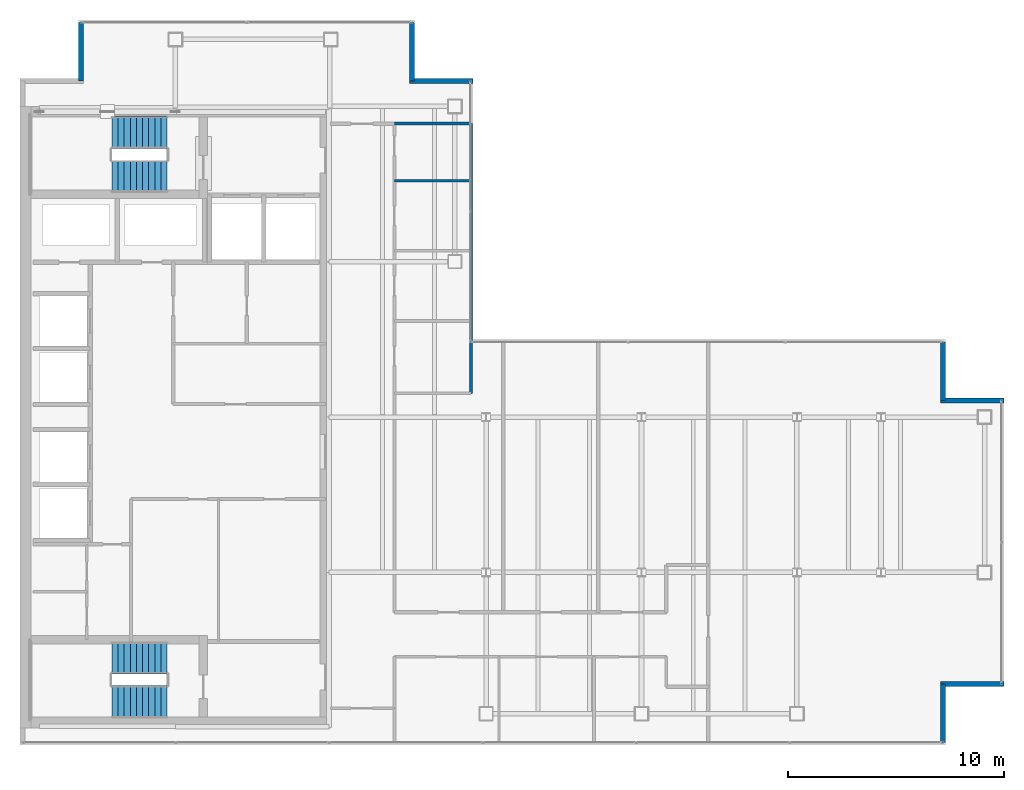
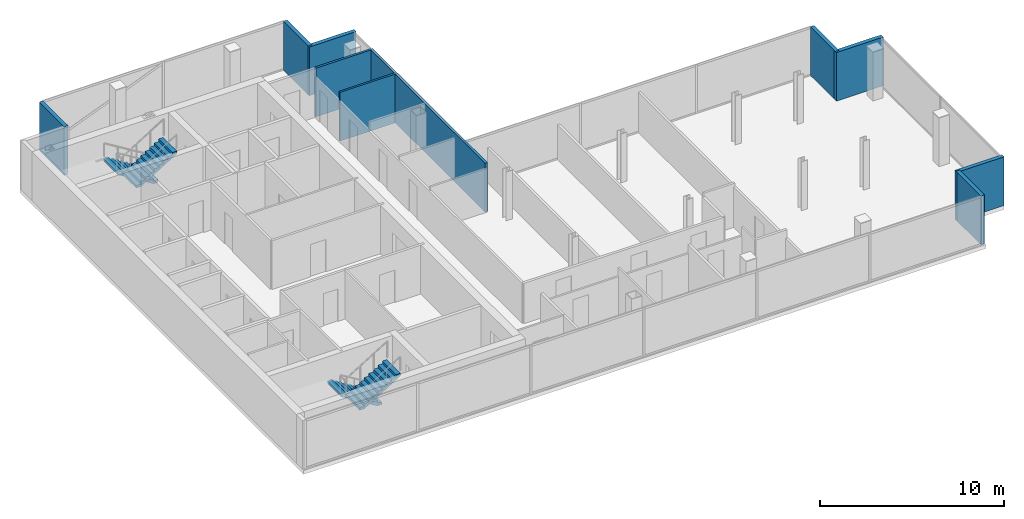
# One storey, part 23 of 24: 10 walls, 4 stair flights, 2 elements without a shape of their own.
"""IFC4 building model written with IfcOpenShell, lengths in metres."""

from ifc_helpers import new_model, si_unit, direction, frame, frame_2d, origin, place, context, subcontext, project, spatial, polyline, rectangle, outline, extrude, material, layer, layer_set, type_object, element, aggregate, save


model = new_model("IFC4")

# Units and contexts
model_context = context("Model", 3, precision=1e-05, world=origin(), true_north=direction((0.0, 1.0)))
body_context = subcontext(model_context, "Body", "Model", "MODEL_VIEW")
ifc_project = project(units=[si_unit("LENGTHUNIT", "METRE"), si_unit("AREAUNIT", "SQUARE_METRE"), si_unit("VOLUMEUNIT", "CUBIC_METRE"), si_unit("PLANEANGLEUNIT", "RADIAN"), si_unit("MASSUNIT", "GRAM", prefix="KILO")], contexts=[model_context])

# Site, building, storey
site_placement = place(None, origin())
site = spatial("IfcSite", under=ifc_project, at=site_placement, CompositionType="ELEMENT")
building_placement = place(site_placement, origin())
building = spatial("IfcBuilding", under=site, at=building_placement, Name="Cobrela Telecom Tower", CompositionType="ELEMENT")
storey_placement = place(building_placement, frame((0.0, 0.0, 290.14990234375)))
storey = spatial("IfcBuildingStorey", under=building, at=storey_placement, Name="L76", CompositionType="ELEMENT", Elevation=290.14990234375)

# Walls
ifc_material_1 = material(Name="Concrete C40/50", Category="concrete")
ifc_layer_1 = layer(ifc_material_1, 0.239990234375)
ifc_layer_set_1 = layer_set([ifc_layer_1], Name="Concrete C40/50")
wall_type_1 = type_object("IfcWallType", Name="WALL-EXT-300", PredefinedType="STANDARD", material=ifc_layer_set_1)
for number, where, z_axis, x_axis, name in (
    (1, (2.830078125, 37.169921875, 0.0), (0.0, 0.0, 1.0), (0.0, 1.0, 0.0), "L76 Insulated Facade Wall 04"),
    (2, (18.169921875, 39.8798828125, 0.0), (0.0, 0.0, 1.0), (0.0, -1.0, 0.0), "L76 Insulated Facade Wall 06"),
):
    element("IfcWall", number, at=place(storey_placement, frame(where, z_axis=z_axis, x_axis=x_axis)), inside=storey, type_object=wall_type_1, Name=name, PredefinedType="STANDARD", context=body_context, shape_type="SweptSolid", body=[
        extrude(rectangle(XDim=2.7099609375, YDim=0.239990234375, at=frame_2d((1.35498046875, 0.0))), origin(), (0.0, 0.0, 1.0), 3.239990234375),
    ])
wall_1_placement = place(storey_placement, frame((18.050048828125, 37.169921875, 0.0), z_axis=(0.0, 0.0, 1.0), x_axis=(1.0, 0.0, 0.0)))
element("IfcWall", 3, at=wall_1_placement, inside=storey, type_object=wall_type_1, Name="L76 Insulated Facade Wall 07", PredefinedType="STANDARD", context=body_context, shape_type="SweptSolid", body=[
    extrude(rectangle(XDim=2.949951171875, YDim=0.239990234375, at=frame_2d((1.47509765625, 0.0))), origin(), (0.0, 0.0, 1.0), 3.239990234375),
])
wall_2_placement = place(storey_placement, frame((42.77001953125, 25.080078125, 0.0), z_axis=(0.0, 0.0, 1.0), x_axis=(0.0, -1.0, 0.0)))
element("IfcWall", 4, at=wall_2_placement, inside=storey, type_object=wall_type_1, Name="L76 Insulated Facade Wall 10", PredefinedType="STANDARD", context=body_context, shape_type="SweptSolid", body=[
    extrude(rectangle(XDim=2.7099609375, YDim=0.239990234375, at=frame_2d((1.35498046875, 0.0))), origin(), (0.0, 0.0, 1.0), 3.239990234375),
])
for number, where, z_axis, x_axis, name in (
    (5, (42.64990234375, 22.3701171875, 0.0), (0.0, 0.0, 1.0), (1.0, 0.0, 0.0), "L76 Insulated Facade Wall 11"),
    (6, (45.60009765625, 9.22998046875, 0.0), (0.0, 0.0, 1.0), (-1.0, 0.0, 0.0), "L76 Insulated Facade Wall 13"),
):
    element("IfcWall", number, at=place(storey_placement, frame(where, z_axis=z_axis, x_axis=x_axis)), inside=storey, type_object=wall_type_1, Name=name, PredefinedType="STANDARD", context=body_context, shape_type="SweptSolid", body=[
        extrude(rectangle(XDim=2.9501953125, YDim=0.239990234375, at=frame_2d((1.47509765625, 0.0))), origin(), (0.0, 0.0, 1.0), 3.239990234375),
    ])
wall_3_placement = place(storey_placement, frame((42.77001953125, 9.22998046875, 0.0), z_axis=(0.0, 0.0, 1.0), x_axis=(0.0, -1.0, 0.0)))
element("IfcWall", 7, at=wall_3_placement, inside=storey, type_object=wall_type_1, Name="L76 Insulated Facade Wall 14", PredefinedType="STANDARD", context=body_context, shape_type="SweptSolid", body=[
    extrude(rectangle(XDim=2.7099609375, YDim=0.239990234375, at=frame_2d((1.35498046875, 0.0))), origin(), (0.0, 0.0, 1.0), 3.239990234375),
])
ifc_material_2 = material(Name="Fire-Rated Gypsum Plasterboard")
ifc_layer_2 = layer(ifc_material_2, 0.125)
ifc_layer_set_2 = layer_set([ifc_layer_2], Name="Fire-Rated Gypsum Plasterboard")
wall_type_2 = type_object("IfcWallType", Name="WALL-PART-125", PredefinedType="PARTITIONING", material=ifc_layer_set_2)
wall_4_placement = place(storey_placement, frame((17.35009765625, 32.550048828125, 0.0), z_axis=(0.0, 0.0, 1.0), x_axis=(1.0, 0.0, 0.0)))
element("IfcWall", 8, at=wall_4_placement, inside=storey, type_object=wall_type_2, Name="L76 Interior Partition W-WCD-3", PredefinedType="PARTITIONING", context=body_context, shape_type="SweptSolid", body=[
    extrude(rectangle(XDim=3.5498046875, YDim=0.125, at=frame_2d((1.77490234375, 0.0))), origin(), (0.0, 0.0, 1.0), 3.239990234375),
])
ifc_layer_3 = layer(ifc_material_2, 0.135009765625)
ifc_layer_set_3 = layer_set([ifc_layer_3], Name="Fire-Rated Gypsum Plasterboard")
wall_type_3 = type_object("IfcWallType", Name="WALL-PART-135", PredefinedType="PARTITIONING", material=ifc_layer_set_3)
wall_5_placement = place(storey_placement, frame((17.35009765625, 35.199951171875, 0.0), z_axis=(0.0, 0.0, 1.0), x_axis=(1.0, 0.0, 0.0)))
element("IfcWall", 9, at=wall_5_placement, inside=storey, type_object=wall_type_3, Name="L76 Interior Partition W-NW-S", PredefinedType="PARTITIONING", context=body_context, shape_type="SweptSolid", body=[
    extrude(rectangle(XDim=3.52978515625, YDim=0.135009765625, at=frame_2d((1.764892578125, 0.0))), origin(), (0.0, 0.0, 1.0), 3.239990234375),
])
ifc_layer_4 = layer(ifc_material_2, 0.159912109375)
ifc_layer_set_4 = layer_set([ifc_layer_4], Name="Fire-Rated Gypsum Plasterboard")
wall_type_4 = type_object("IfcWallType", Name="WALL-PART-160", PredefinedType="PARTITIONING", material=ifc_layer_set_4)
wall_6_placement = place(storey_placement, frame((20.89990234375, 22.699951171875, 0.0), z_axis=(0.0, 0.0, 1.0), x_axis=(0.0, 1.0, 0.0)))
element("IfcWall", 10, at=wall_6_placement, inside=storey, type_object=wall_type_4, Name="L76 Interior Partition W-WC-E", PredefinedType="PARTITIONING", context=body_context, shape_type="SweptSolid", body=[
    extrude(rectangle(XDim=12.5, YDim=0.159912109375, at=frame_2d((6.25, 0.0))), origin(), (0.0, 0.0, 1.0), 3.239990234375),
])

# Stair, stair flights
stair_type = type_object("IfcStairType", Name="STAIR-CORE", PredefinedType="HALF_TURN_STAIR", material=ifc_material_1)
stair_1_placement = place(storey_placement, origin())
stair_1 = element("IfcStair", 11, at=stair_1_placement, inside=storey, type_object=stair_type, Name="L76 Smokeproof Exit Stair ST1", PredefinedType="HALF_TURN_STAIR")
stair_flight_type = type_object("IfcStairFlightType", Name="FLIGHT-CORE", PredefinedType="STRAIGHT", material=ifc_material_1)
stair_flight_1_placement = place(storey_placement, frame((6.820068359375, 34.800048828125, 0.0), z_axis=(0.0, 0.0, 1.0), x_axis=(-1.0, 0.0, 0.0)))
stair_flight_1 = element("IfcStairFlight", 12, at=stair_flight_1_placement, type_object=stair_flight_type, Name="ST1 flight 1", NumberOfRisers=10, NumberOfTreads=9, PredefinedType="STRAIGHT", RiserHeight=0.175, TreadLength=0.285, context=body_context, shape_type="SweptSolid", body=[
    extrude(outline(polyline([(0.0, 0.0), (0.0, 0.175048828125), (0.284912109375, 0.175048828125), (0.284912109375, 0.35009765625), (0.570068359375, 0.35009765625), (0.570068359375, 0.52490234375), (0.85498046875, 0.52490234375), (0.85498046875, 0.699951171875), (1.139892578125, 0.699951171875), (1.139892578125, 0.875), (1.425048828125, 0.875), (1.425048828125, 1.050048828125), (1.7099609375, 1.050048828125), (1.7099609375, 1.22509765625), (1.9951171875, 1.22509765625), (1.9951171875, 1.39990234375), (2.280029296875, 1.39990234375), (2.280029296875, 1.574951171875), (2.56494140625, 1.574951171875), (2.56494140625, 1.75), (2.56494140625, 1.399169921875), (0.286376953125, 0.0), (0.0, 0.0)])), frame((0.0, 0.75, 0.0), z_axis=(0.0, -1.0, 0.0), x_axis=(1.0, 0.0, 0.0)), (0.0, 0.0, 1.0), 1.5),
])
stair_flight_2_placement = place(storey_placement, frame((4.2548828125, 32.75, 1.75), z_axis=(0.0, 0.0, 1.0), x_axis=(1.0, 0.0, 0.0)))
stair_flight_2 = element("IfcStairFlight", 13, at=stair_flight_2_placement, type_object=stair_flight_type, Name="ST1 flight 2", NumberOfRisers=10, NumberOfTreads=9, PredefinedType="STRAIGHT", RiserHeight=0.175, TreadLength=0.285, context=body_context, shape_type="SweptSolid", body=[
    extrude(outline(polyline([(0.0, 0.0), (0.0, 0.175048828125), (0.284912109375, 0.175048828125), (0.284912109375, 0.35009765625), (0.570068359375, 0.35009765625), (0.570068359375, 0.52490234375), (0.85498046875, 0.52490234375), (0.85498046875, 0.699951171875), (1.139892578125, 0.699951171875), (1.139892578125, 0.875), (1.425048828125, 0.875), (1.425048828125, 1.050048828125), (1.7099609375, 1.050048828125), (1.7099609375, 1.22509765625), (1.9951171875, 1.22509765625), (1.9951171875, 1.39990234375), (2.280029296875, 1.39990234375), (2.280029296875, 1.574951171875), (2.56494140625, 1.574951171875), (2.56494140625, 1.75), (2.56494140625, 1.399169921875), (0.286376953125, 0.0), (0.0, 0.0)])), frame((0.0, 0.75, 0.0), z_axis=(0.0, -1.0, 0.0), x_axis=(1.0, 0.0, 0.0)), (0.0, 0.0, 1.0), 1.5),
])
aggregate(stair_1, [stair_flight_1, stair_flight_2])

stair_2_placement = place(storey_placement, origin())
stair_2 = element("IfcStair", 14, at=stair_2_placement, inside=storey, type_object=stair_type, Name="L76 Smokeproof Exit Stair ST2", PredefinedType="HALF_TURN_STAIR")
stair_flight_3_placement = place(storey_placement, frame((6.820068359375, 10.449951171875, 0.0), z_axis=(0.0, 0.0, 1.0), x_axis=(-1.0, 0.0, 0.0)))
stair_flight_3 = element("IfcStairFlight", 15, at=stair_flight_3_placement, type_object=stair_flight_type, Name="ST2 flight 1", NumberOfRisers=10, NumberOfTreads=9, PredefinedType="STRAIGHT", RiserHeight=0.175, TreadLength=0.285, context=body_context, shape_type="SweptSolid", body=[
    extrude(outline(polyline([(0.0, 0.0), (0.0, 0.175048828125), (0.284912109375, 0.175048828125), (0.284912109375, 0.35009765625), (0.570068359375, 0.35009765625), (0.570068359375, 0.52490234375), (0.85498046875, 0.52490234375), (0.85498046875, 0.699951171875), (1.139892578125, 0.699951171875), (1.139892578125, 0.875), (1.425048828125, 0.875), (1.425048828125, 1.050048828125), (1.7099609375, 1.050048828125), (1.7099609375, 1.22509765625), (1.9951171875, 1.22509765625), (1.9951171875, 1.39990234375), (2.280029296875, 1.39990234375), (2.280029296875, 1.574951171875), (2.56494140625, 1.574951171875), (2.56494140625, 1.75), (2.56494140625, 1.399169921875), (0.286376953125, 0.0), (0.0, 0.0)])), frame((0.0, 0.75, 0.0), z_axis=(0.0, -1.0, 0.0), x_axis=(1.0, 0.0, 0.0)), (0.0, 0.0, 1.0), 1.5),
])
stair_flight_4_placement = place(storey_placement, frame((4.2548828125, 8.39990234375, 1.75), z_axis=(0.0, 0.0, 1.0), x_axis=(1.0, 0.0, 0.0)))
stair_flight_4 = element("IfcStairFlight", 16, at=stair_flight_4_placement, type_object=stair_flight_type, Name="ST2 flight 2", NumberOfRisers=10, NumberOfTreads=9, PredefinedType="STRAIGHT", RiserHeight=0.175, TreadLength=0.285, context=body_context, shape_type="SweptSolid", body=[
    extrude(outline(polyline([(0.0, 0.0), (0.0, 0.175048828125), (0.284912109375, 0.175048828125), (0.284912109375, 0.35009765625), (0.570068359375, 0.35009765625), (0.570068359375, 0.52490234375), (0.85498046875, 0.52490234375), (0.85498046875, 0.699951171875), (1.139892578125, 0.699951171875), (1.139892578125, 0.875), (1.425048828125, 0.875), (1.425048828125, 1.050048828125), (1.7099609375, 1.050048828125), (1.7099609375, 1.22509765625), (1.9951171875, 1.22509765625), (1.9951171875, 1.39990234375), (2.280029296875, 1.39990234375), (2.280029296875, 1.574951171875), (2.56494140625, 1.574951171875), (2.56494140625, 1.75), (2.56494140625, 1.399169921875), (0.286376953125, 0.0), (0.0, 0.0)])), frame((0.0, 0.75, 0.0), z_axis=(0.0, -1.0, 0.0), x_axis=(1.0, 0.0, 0.0)), (0.0, 0.0, 1.0), 1.5),
])
aggregate(stair_2, [stair_flight_3, stair_flight_4])

save(model, "model.ifc")
